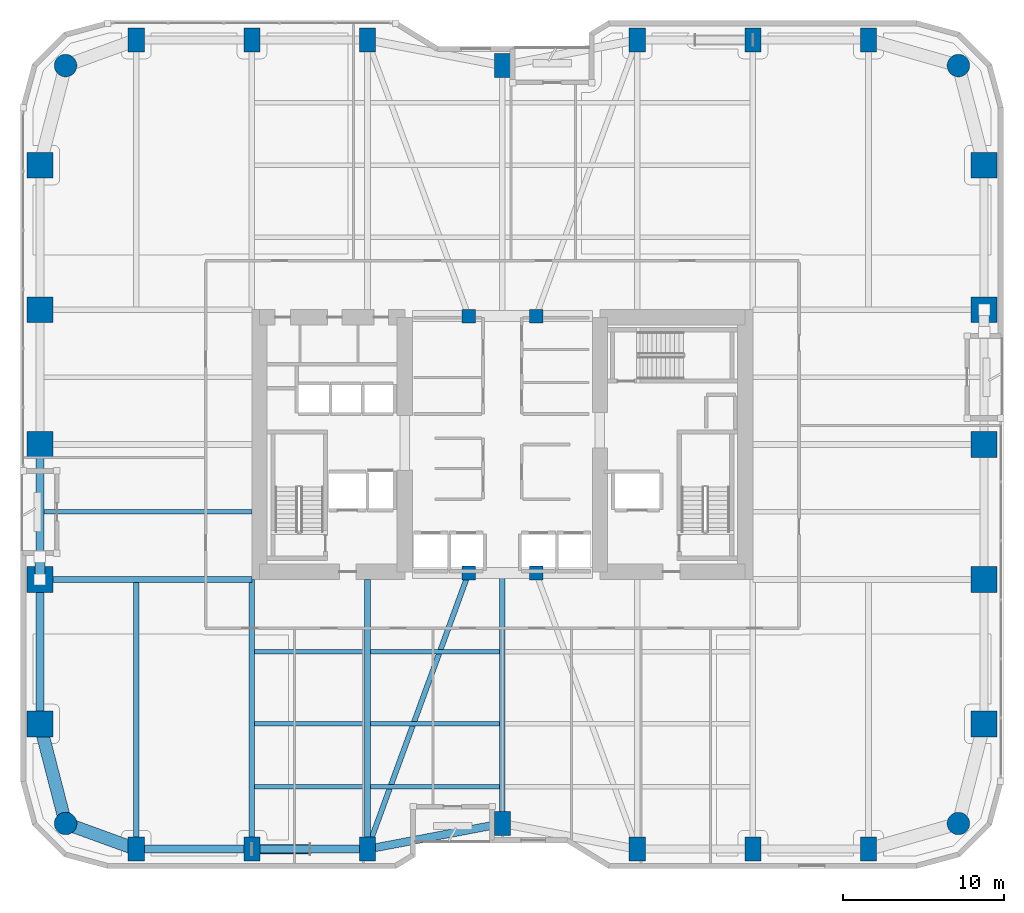
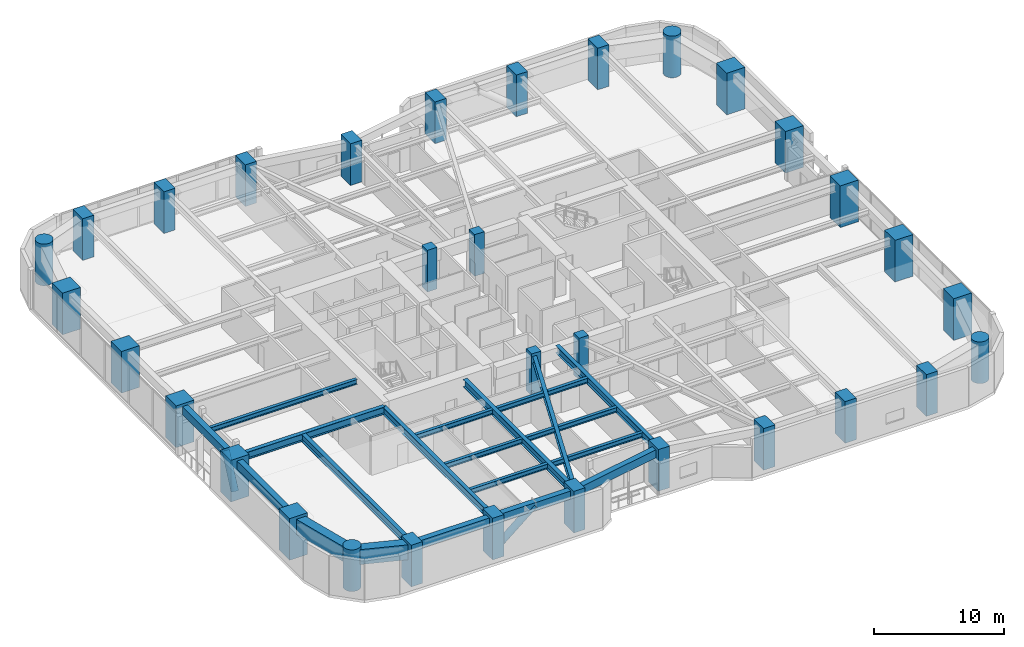
# One storey, part 1 of 28: 32 columns, 20 beams, 2 members.
"""IFC4 building model written with IfcOpenShell, lengths in metres."""

from ifc_helpers import new_model, si_unit, direction, frame, origin, origin_2d, place, context, subcontext, project, spatial, rectangle, circle, hollow_circle, i_section, extrude, material, material_profile, profile_set, type_object, element, save


model = new_model("IFC4")

# Units and contexts
model_context = context("Model", 3, precision=1e-05, world=origin(), true_north=direction((0.0, 1.0)))
body_context = subcontext(model_context, "Body", "Model", "MODEL_VIEW")
ifc_project = project(units=[si_unit("LENGTHUNIT", "METRE"), si_unit("AREAUNIT", "SQUARE_METRE"), si_unit("VOLUMEUNIT", "CUBIC_METRE"), si_unit("PLANEANGLEUNIT", "RADIAN"), si_unit("MASSUNIT", "GRAM", prefix="KILO")], contexts=[model_context])

# Site, building, storey
site_placement = place(None, origin())
site = spatial("IfcSite", under=ifc_project, at=site_placement, CompositionType="ELEMENT")
building_placement = place(site_placement, origin())
building = spatial("IfcBuilding", under=site, at=building_placement, Name="Kiyonajd Concourse Tower", CompositionType="ELEMENT")
storey_placement = place(building_placement, frame((0.0, 0.0, 64.5)))
storey = spatial("IfcBuildingStorey", under=building, at=storey_placement, Name="L17", CompositionType="ELEMENT", Elevation=64.5)

# Columns
ifc_material_1 = material(Name="Concrete C80/95", Category="concrete")
ifc_material_profile_1 = material_profile(ifc_material_1, rectangle(XDim=1.0, YDim=1.5, at=origin_2d()), Name="RC-1500x1000")
ifc_profile_set_1 = profile_set([ifc_material_profile_1], Name="Concrete C80/95")
column_type_1 = type_object("IfcColumnType", Name="CL-BLADE-1500", PredefinedType="COLUMN", material=ifc_profile_set_1)
for number, where, z_axis, x_axis, name in (
    (1, (25.199951171875, 10.800048828125, 0.0), (0.0, 0.0, 1.0), (1.0, 0.0, 0.0), "L17 Perimeter Bundled Tube Column"),
    (2, (25.199951171875, 61.199951171875, 0.0), (0.0, 0.0, 1.0), (1.0, 0.0, 0.0), "L17 Perimeter Bundled Tube Column"),
    (3, (32.39990234375, 10.800048828125, 0.0), (0.0, 0.0, 1.0), (1.0, 0.0, 0.0), "L17 Perimeter Bundled Tube Column"),
    (4, (32.39990234375, 61.199951171875, 0.0), (0.0, 0.0, 1.0), (1.0, 0.0, 0.0), "L17 Perimeter Bundled Tube Column"),
    (5, (39.60009765625, 10.800048828125, 0.0), (0.0, 0.0, 1.0), (1.0, 0.0, 0.0), "L17 Perimeter Bundled Tube Column"),
    (6, (39.60009765625, 61.199951171875, 0.0), (0.0, 0.0, 1.0), (1.0, 0.0, 0.0), "L17 Perimeter Bundled Tube Column"),
    (7, (48.0, 12.39990234375, 0.0), (0.0, 0.0, 1.0), (1.0, 0.0, 0.0), "L17 Perimeter Bundled Tube Column"),
    (8, (48.0, 59.60009765625, 0.0), (0.0, 0.0, 1.0), (1.0, 0.0, 0.0), "L17 Perimeter Bundled Tube Column"),
    (9, (56.39990234375, 10.800048828125, 0.0), (0.0, 0.0, 1.0), (1.0, 0.0, 0.0), "L17 Perimeter Bundled Tube Column"),
    (10, (56.39990234375, 61.199951171875, 0.0), (0.0, 0.0, 1.0), (1.0, 0.0, 0.0), "L17 Perimeter Bundled Tube Column"),
    (11, (63.60009765625, 10.800048828125, 0.0), (0.0, 0.0, 1.0), (1.0, 0.0, 0.0), "L17 Perimeter Bundled Tube Column"),
    (12, (63.60009765625, 61.199951171875, 0.0), (0.0, 0.0, 1.0), (1.0, 0.0, 0.0), "L17 Perimeter Bundled Tube Column"),
    (13, (70.800048828125, 10.800048828125, 0.0), (0.0, 0.0, 1.0), (1.0, 0.0, 0.0), "L17 Perimeter Bundled Tube Column"),
    (14, (70.800048828125, 61.199951171875, 0.0), (0.0, 0.0, 1.0), (1.0, 0.0, 0.0), "L17 Perimeter Bundled Tube Column"),
):
    element("IfcColumn", number, at=place(storey_placement, frame(where, z_axis=z_axis, x_axis=x_axis)), inside=storey, type_object=column_type_1, Name=name, PredefinedType="COLUMN", context=body_context, shape_type="SweptSolid", body=[
        extrude(rectangle(XDim=1.0, YDim=1.5, at=origin_2d()), origin(), (0.0, 0.0, 1.0), 3.89990234375),
    ])
ifc_material_profile_2 = material_profile(ifc_material_1, circle(Radius=0.699951171875, at=origin_2d()), Name="RCC-D1400")
ifc_profile_set_2 = profile_set([ifc_material_profile_2], Name="Concrete C80/95")
column_type_2 = type_object("IfcColumnType", Name="CL-RND-1400", PredefinedType="COLUMN", material=ifc_profile_set_2)
for number, where, z_axis, x_axis, name in (
    (15, (20.800048828125, 12.39990234375, 0.0), (0.0, 0.0, 1.0), (1.0, 0.0, 0.0), "L17 Bundled Tube Corner Column South West"),
    (16, (76.39990234375, 12.39990234375, 0.0), (0.0, 0.0, 1.0), (1.0, 0.0, 0.0), "L17 Bundled Tube Corner Column South East"),
    (17, (76.39990234375, 59.60009765625, 0.0), (0.0, 0.0, 1.0), (1.0, 0.0, 0.0), "L17 Bundled Tube Corner Column North East"),
    (18, (20.800048828125, 59.60009765625, 0.0), (0.0, 0.0, 1.0), (1.0, 0.0, 0.0), "L17 Bundled Tube Corner Column North West"),
):
    element("IfcColumn", number, at=place(storey_placement, frame(where, z_axis=z_axis, x_axis=x_axis)), inside=storey, type_object=column_type_2, Name=name, PredefinedType="COLUMN", context=body_context, shape_type="SweptSolid", body=[
        extrude(circle(Radius=0.699951171875, at=origin_2d()), origin(), (0.0, 0.0, 1.0), 3.89990234375),
    ])
ifc_material_profile_3 = material_profile(ifc_material_1, rectangle(XDim=1.60009765625, YDim=1.60009765625, at=origin_2d()), Name="RC-1600x1600")
ifc_profile_set_3 = profile_set([ifc_material_profile_3], Name="Concrete C80/95")
column_type_3 = type_object("IfcColumnType", Name="CL-TUBE-1600", PredefinedType="COLUMN", material=ifc_profile_set_3)
for number, where, z_axis, x_axis, name in (
    (19, (19.199951171875, 18.60009765625, 0.0), (0.0, 0.0, 1.0), (1.0, 0.0, 0.0), "L17 Perimeter Bundled Tube Column"),
    (20, (78.0, 18.60009765625, 0.0), (0.0, 0.0, 1.0), (1.0, 0.0, 0.0), "L17 Perimeter Bundled Tube Column"),
    (21, (19.199951171875, 27.60009765625, 0.0), (0.0, 0.0, 1.0), (1.0, 0.0, 0.0), "L17 Perimeter Bundled Tube Column"),
    (22, (78.0, 27.60009765625, 0.0), (0.0, 0.0, 1.0), (1.0, 0.0, 0.0), "L17 Perimeter Bundled Tube Column"),
    (23, (19.199951171875, 36.0, 0.0), (0.0, 0.0, 1.0), (1.0, 0.0, 0.0), "L17 Perimeter Bundled Tube Column"),
    (24, (78.0, 36.0, 0.0), (0.0, 0.0, 1.0), (1.0, 0.0, 0.0), "L17 Perimeter Bundled Tube Column"),
    (25, (19.199951171875, 44.39990234375, 0.0), (0.0, 0.0, 1.0), (1.0, 0.0, 0.0), "L17 Perimeter Bundled Tube Column"),
    (26, (78.0, 44.39990234375, 0.0), (0.0, 0.0, 1.0), (1.0, 0.0, 0.0), "L17 Perimeter Bundled Tube Column"),
    (27, (19.199951171875, 53.39990234375, 0.0), (0.0, 0.0, 1.0), (1.0, 0.0, 0.0), "L17 Perimeter Bundled Tube Column"),
    (28, (78.0, 53.39990234375, 0.0), (0.0, 0.0, 1.0), (1.0, 0.0, 0.0), "L17 Perimeter Bundled Tube Column"),
):
    element("IfcColumn", number, at=place(storey_placement, frame(where, z_axis=z_axis, x_axis=x_axis)), inside=storey, type_object=column_type_3, Name=name, PredefinedType="COLUMN", context=body_context, shape_type="SweptSolid", body=[
        extrude(rectangle(XDim=1.60009765625, YDim=1.60009765625, at=origin_2d()), origin(), (0.0, 0.0, 1.0), 3.89990234375),
    ])
ifc_material_2 = material(Name="Concrete C60/75", Category="concrete")
ifc_material_profile_4 = material_profile(ifc_material_2, rectangle(XDim=0.85009765625, YDim=0.85009765625, at=origin_2d()), Name="RC-850x850")
ifc_profile_set_4 = profile_set([ifc_material_profile_4], Name="Concrete C60/75")
column_type_4 = type_object("IfcColumnType", Name="CL-TUBE-850", PredefinedType="COLUMN", material=ifc_profile_set_4)
for number, where, z_axis, x_axis, name in (
    (29, (45.89990234375, 28.0, 0.0), (0.0, 0.0, 1.0), (1.0, 0.0, 0.0), "L17 Core Tie Column South West"),
    (30, (50.10009765625, 28.0, 0.0), (0.0, 0.0, 1.0), (1.0, 0.0, 0.0), "L17 Core Tie Column South East"),
    (31, (45.89990234375, 44.0, 0.0), (0.0, 0.0, 1.0), (1.0, 0.0, 0.0), "L17 Core Tie Column North West"),
    (32, (50.10009765625, 44.0, 0.0), (0.0, 0.0, 1.0), (1.0, 0.0, 0.0), "L17 Core Tie Column North East"),
):
    element("IfcColumn", number, at=place(storey_placement, frame(where, z_axis=z_axis, x_axis=x_axis)), inside=storey, type_object=column_type_4, Name=name, PredefinedType="COLUMN", context=body_context, shape_type="SweptSolid", body=[
        extrude(rectangle(XDim=0.85009765625, YDim=0.85009765625, at=origin_2d()), origin(), (0.0, 0.0, 1.0), 3.89990234375),
    ])

# Beams
ifc_material_3 = material(Name="Steel ASTM A992 Grade 50", Category="steel")
ifc_material_profile_5 = material_profile(ifc_material_3, i_section(OverallWidth=0.280029296875, OverallDepth=0.462890625, WebThickness=0.0107421875, FlangeThickness=0.017333984375, at=origin_2d()), Name="W460X113")
ifc_profile_set_5 = profile_set([ifc_material_profile_5], Name="Steel ASTM A992 Grade 50")
beam_type_1 = type_object("IfcBeamType", Name="BM-JST-460A", PredefinedType="JOIST", material=ifc_profile_set_5)
beam_1_placement = place(storey_placement, frame((32.577392578125, 14.699951171875, 3.408447265625), z_axis=(1.0, 0.0, 0.0), x_axis=(0.0, 1.0, 0.0)))
element("IfcBeam", 33, at=beam_1_placement, inside=storey, type_object=beam_type_1, Name="L17 Secondary Floor Joist", PredefinedType="JOIST", context=body_context, shape_type="SweptSolid", body=[
    extrude(i_section(OverallWidth=0.280029296875, OverallDepth=0.462890625, WebThickness=0.0107421875, FlangeThickness=0.017333984375, at=origin_2d()), origin(), (0.0, 0.0, 1.0), 6.84521484375),
])
beam_2_placement = place(storey_placement, frame((39.777587890625, 14.699951171875, 3.408447265625), z_axis=(1.0, 0.0, 0.0), x_axis=(0.0, 1.0, 0.0)))
element("IfcBeam", 34, at=beam_2_placement, inside=storey, type_object=beam_type_1, Name="L17 Secondary Floor Joist", PredefinedType="JOIST", context=body_context, shape_type="SweptSolid", body=[
    extrude(i_section(OverallWidth=0.280029296875, OverallDepth=0.462890625, WebThickness=0.0107421875, FlangeThickness=0.017333984375, at=origin_2d()), origin(), (0.0, 0.0, 1.0), 8.044921875),
])
beam_3_placement = place(storey_placement, frame((32.577392578125, 18.60009765625, 3.408447265625), z_axis=(1.0, 0.0, 0.0), x_axis=(0.0, 1.0, 0.0)))
element("IfcBeam", 35, at=beam_3_placement, inside=storey, type_object=beam_type_1, Name="L17 Secondary Floor Joist", PredefinedType="JOIST", context=body_context, shape_type="SweptSolid", body=[
    extrude(i_section(OverallWidth=0.280029296875, OverallDepth=0.462890625, WebThickness=0.0107421875, FlangeThickness=0.017333984375, at=origin_2d()), origin(), (0.0, 0.0, 1.0), 6.84521484375),
])
beam_4_placement = place(storey_placement, frame((39.777587890625, 18.60009765625, 3.408447265625), z_axis=(1.0, 0.0, 0.0), x_axis=(0.0, 1.0, 0.0)))
element("IfcBeam", 36, at=beam_4_placement, inside=storey, type_object=beam_type_1, Name="L17 Secondary Floor Joist", PredefinedType="JOIST", context=body_context, shape_type="SweptSolid", body=[
    extrude(i_section(OverallWidth=0.280029296875, OverallDepth=0.462890625, WebThickness=0.0107421875, FlangeThickness=0.017333984375, at=origin_2d()), origin(), (0.0, 0.0, 1.0), 8.044921875),
])
beam_5_placement = place(storey_placement, frame((32.577392578125, 23.10009765625, 3.408447265625), z_axis=(1.0, 0.0, 0.0), x_axis=(0.0, 1.0, 0.0)))
element("IfcBeam", 37, at=beam_5_placement, inside=storey, type_object=beam_type_1, Name="L17 Secondary Floor Joist", PredefinedType="JOIST", context=body_context, shape_type="SweptSolid", body=[
    extrude(i_section(OverallWidth=0.280029296875, OverallDepth=0.462890625, WebThickness=0.0107421875, FlangeThickness=0.017333984375, at=origin_2d()), origin(), (0.0, 0.0, 1.0), 6.84521484375),
])
beam_6_placement = place(storey_placement, frame((39.777587890625, 23.10009765625, 3.408447265625), z_axis=(1.0, 0.0, 0.0), x_axis=(0.0, 1.0, 0.0)))
element("IfcBeam", 38, at=beam_6_placement, inside=storey, type_object=beam_type_1, Name="L17 Secondary Floor Joist", PredefinedType="JOIST", context=body_context, shape_type="SweptSolid", body=[
    extrude(i_section(OverallWidth=0.280029296875, OverallDepth=0.462890625, WebThickness=0.0107421875, FlangeThickness=0.017333984375, at=origin_2d()), origin(), (0.0, 0.0, 1.0), 8.044921875),
])
beam_7_placement = place(storey_placement, frame((19.449951171875, 31.800048828125, 3.408447265625), z_axis=(1.0, 0.0, 0.0), x_axis=(0.0, 1.0, 0.0)))
element("IfcBeam", 39, at=beam_7_placement, inside=storey, type_object=beam_type_1, Name="L17 West Secondary Floor Joist", PredefinedType="JOIST", context=body_context, shape_type="SweptSolid", body=[
    extrude(i_section(OverallWidth=0.280029296875, OverallDepth=0.462890625, WebThickness=0.0107421875, FlangeThickness=0.017333984375, at=origin_2d()), origin(), (0.0, 0.0, 1.0), 12.949951171875),
])
ifc_material_4 = material(Name="Precast concrete C50/60", Category="concrete")
ifc_material_profile_6 = material_profile(ifc_material_4, rectangle(XDim=0.5, YDim=0.75, at=origin_2d()), Name="RCBM-500x750")
ifc_profile_set_6 = profile_set([ifc_material_profile_6], Name="Precast concrete C50/60")
beam_type_2 = type_object("IfcBeamType", Name="BM-SPAN-RC", PredefinedType="SPANDREL", material=ifc_profile_set_6)
beam_8_placement = place(storey_placement, frame((19.199951171875, 27.60009765625, 3.264892578125), z_axis=(0.0, -1.0, 0.0), x_axis=(1.0, 0.0, 0.0)))
element("IfcBeam", 40, at=beam_8_placement, inside=storey, type_object=beam_type_2, Name="L17 Perimeter Bundled Tube Spandrel", PredefinedType="SPANDREL", context=body_context, shape_type="SweptSolid", body=[
    extrude(rectangle(XDim=0.5, YDim=0.75, at=origin_2d()), origin(), (0.0, 0.0, 1.0), 9.0),
])
beam_9_placement = place(storey_placement, frame((25.199951171875, 10.800048828125, 3.264892578125), z_axis=(1.0, 0.0, 0.0), x_axis=(0.0, 1.0, 0.0)))
element("IfcBeam", 41, at=beam_9_placement, inside=storey, type_object=beam_type_2, Name="L17 Perimeter Bundled Tube Spandrel", PredefinedType="SPANDREL", context=body_context, shape_type="SweptSolid", body=[
    extrude(rectangle(XDim=0.5, YDim=0.75, at=origin_2d()), origin(), (0.0, 0.0, 1.0), 7.199951171875),
])
beam_10_placement = place(storey_placement, frame((32.39990234375, 10.800048828125, 3.264892578125), z_axis=(1.0, 0.0, 0.0), x_axis=(0.0, 1.0, 0.0)))
element("IfcBeam", 42, at=beam_10_placement, inside=storey, type_object=beam_type_2, Name="L17 Perimeter Bundled Tube Spandrel", PredefinedType="SPANDREL", context=body_context, shape_type="SweptSolid", body=[
    extrude(rectangle(XDim=0.5, YDim=0.75, at=origin_2d()), origin(), (0.0, 0.0, 1.0), 7.2001953125),
])
beam_11_placement = place(storey_placement, frame((39.60009765625, 10.800048828125, 3.264892578125), z_axis=(0.982341315253, 0.187097675953, 0.0), x_axis=(-0.187097675953, 0.982341315253, 0.0)))
element("IfcBeam", 43, at=beam_11_placement, inside=storey, type_object=beam_type_2, Name="L17 Perimeter Bundled Tube Spandrel", PredefinedType="SPANDREL", context=body_context, shape_type="SweptSolid", body=[
    extrude(rectangle(XDim=0.5, YDim=0.75, at=origin_2d()), origin(), (0.0, 0.0, 1.0), 8.55078125),
])
beam_12_placement = place(storey_placement, frame((19.199951171875, 36.0, 3.264892578125), z_axis=(0.0, -1.0, 0.0), x_axis=(1.0, 0.0, 0.0)))
element("IfcBeam", 44, at=beam_12_placement, inside=storey, type_object=beam_type_2, Name="L17 Perimeter Bundled Tube Spandrel", PredefinedType="SPANDREL", context=body_context, shape_type="SweptSolid", body=[
    extrude(rectangle(XDim=0.5, YDim=0.75, at=origin_2d()), origin(), (0.0, 0.0, 1.0), 8.39990234375),
])
ifc_material_profile_7 = material_profile(ifc_material_3, i_section(OverallWidth=0.326904296875, OverallDepth=0.6220703125, WebThickness=0.015380859375, FlangeThickness=0.0244140625, at=origin_2d()), Name="W610X195")
ifc_profile_set_7 = profile_set([ifc_material_profile_7], Name="Steel ASTM A992 Grade 50")
beam_type_3 = type_object("IfcBeamType", Name="BM-TWR-610A", PredefinedType="BEAM", material=ifc_profile_set_7)
beam_13_placement = place(storey_placement, frame((39.60009765625, 10.800048828125, 3.3291015625), z_axis=(0.343925269715, 0.938997022813, 0.0), x_axis=(-0.938997022813, 0.343925269715, 0.0)))
element("IfcBeam", 45, at=beam_13_placement, inside=storey, type_object=beam_type_3, Name="L17 Core Tie Girder", PredefinedType="BEAM", context=body_context, shape_type="SweptSolid", body=[
    extrude(i_section(OverallWidth=0.326904296875, OverallDepth=0.6220703125, WebThickness=0.015380859375, FlangeThickness=0.0244140625, at=origin_2d()), origin(), (0.0, 0.0, 1.0), 18.3173828125),
])
ifc_material_profile_8 = material_profile(ifc_material_3, i_section(OverallWidth=0.35498046875, OverallDepth=0.695068359375, WebThickness=0.015380859375, FlangeThickness=0.02490234375, at=origin_2d()), Name="W690X217")
ifc_profile_set_8 = profile_set([ifc_material_profile_8], Name="Steel ASTM A992 Grade 50")
beam_type_4 = type_object("IfcBeamType", Name="BM-TWR-690", PredefinedType="BEAM", material=ifc_profile_set_8)
for number, where, z_axis, x_axis, name in (
    (46, (25.199951171875, 10.800048828125, 3.29248046875), (0.0, 1.0, 0.0), (-1.0, 0.0, 0.0), "L17 South Lease Girder"),
    (47, (32.39990234375, 10.800048828125, 3.29248046875), (0.0, 1.0, 0.0), (-1.0, 0.0, 0.0), "L17 South Lease Girder"),
    (48, (39.60009765625, 10.800048828125, 3.29248046875), (0.0, 1.0, 0.0), (-1.0, 0.0, 0.0), "L17 South Lease Girder"),
):
    element("IfcBeam", number, at=place(storey_placement, frame(where, z_axis=z_axis, x_axis=x_axis)), inside=storey, type_object=beam_type_4, Name=name, PredefinedType="BEAM", context=body_context, shape_type="SweptSolid", body=[
        extrude(i_section(OverallWidth=0.35498046875, OverallDepth=0.695068359375, WebThickness=0.015380859375, FlangeThickness=0.02490234375, at=origin_2d()), origin(), (0.0, 0.0, 1.0), 16.800048828125),
    ])
beam_14_placement = place(storey_placement, frame((48.0, 12.39990234375, 3.29248046875), z_axis=(0.0, 1.0, 0.0), x_axis=(-1.0, 0.0, 0.0)))
element("IfcBeam", 49, at=beam_14_placement, inside=storey, type_object=beam_type_4, Name="L17 South Ribbon Girder", PredefinedType="BEAM", context=body_context, shape_type="SweptSolid", body=[
    extrude(i_section(OverallWidth=0.35498046875, OverallDepth=0.695068359375, WebThickness=0.015380859375, FlangeThickness=0.02490234375, at=origin_2d()), origin(), (0.0, 0.0, 1.0), 15.60009765625),
])
beam_15_placement = place(storey_placement, frame((19.199951171875, 27.60009765625, 3.29248046875), z_axis=(1.0, 0.0, 0.0), x_axis=(0.0, 1.0, 0.0)))
element("IfcBeam", 50, at=beam_15_placement, inside=storey, type_object=beam_type_4, Name="L17 West Lease Girder", PredefinedType="BEAM", context=body_context, shape_type="SweptSolid", body=[
    extrude(i_section(OverallWidth=0.35498046875, OverallDepth=0.695068359375, WebThickness=0.015380859375, FlangeThickness=0.02490234375, at=origin_2d()), origin(), (0.0, 0.0, 1.0), 13.199951171875),
])
ifc_material_profile_9 = material_profile(ifc_material_2, rectangle(XDim=0.800048828125, YDim=1.39990234375, at=origin_2d()), Name="RCBM-800x1400")
ifc_profile_set_9 = profile_set([ifc_material_profile_9], Name="Concrete C60/75")
beam_type_5 = type_object("IfcBeamType", Name="BM-XFER-RC", PredefinedType="BEAM", material=ifc_profile_set_9)
beam_16_placement = place(storey_placement, frame((19.199951171875, 18.60009765625, 2.93994140625), z_axis=(0.249884937687, -0.968275538221, 0.0), x_axis=(0.968275538221, 0.249884937687, 0.0)))
element("IfcBeam", 51, at=beam_16_placement, inside=storey, type_object=beam_type_5, Name="L17 Perimeter Bundled Tube Spandrel", PredefinedType="BEAM", context=body_context, shape_type="SweptSolid", body=[
    extrude(rectangle(XDim=0.800048828125, YDim=1.39990234375, at=origin_2d()), origin(), (0.0, 0.0, 1.0), 6.4033203125),
])
beam_17_placement = place(storey_placement, frame((20.800048828125, 12.39990234375, 2.93994140625), z_axis=(0.939801036019, -0.341722127901, 0.0), x_axis=(0.341722127901, 0.939801036019, 0.0)))
element("IfcBeam", 52, at=beam_17_placement, inside=storey, type_object=beam_type_5, Name="L17 Perimeter Bundled Tube Spandrel", PredefinedType="BEAM", context=body_context, shape_type="SweptSolid", body=[
    extrude(rectangle(XDim=0.800048828125, YDim=1.39990234375, at=origin_2d()), origin(), (0.0, 0.0, 1.0), 4.681640625),
])

# Members
ifc_material_5 = material(Name="Steel ASTM A572 Grade 50", Category="steel")
ifc_material_profile_10 = material_profile(ifc_material_5, hollow_circle(Radius=0.304931640625, WallThickness=0.02490234375, at=origin_2d()), Name="CHS-610x25")
ifc_profile_set_10 = profile_set([ifc_material_profile_10], Name="Steel ASTM A572 Grade 50")
member_type = type_object("IfcMemberType", Name="MB-PB-LOW", PredefinedType="BRACE", material=ifc_profile_set_10)
member_1_placement = place(storey_placement, frame((32.39990234375, 10.800048828125, 0.300048828125), z_axis=(0.769280705518, 0.0, 0.638910945373), x_axis=(0.0, 1.0, 0.0)))
element("IfcMember", 53, at=member_1_placement, inside=storey, type_object=member_type, Name="L17 Lower Zone Welded Tube Brace PBS", PredefinedType="BRACE", context=body_context, shape_type="SweptSolid", body=[
    extrude(hollow_circle(Radius=0.304931640625, WallThickness=0.02490234375, at=origin_2d()), origin(), (0.0, 0.0, 1.0), 4.679931640625),
])
member_2_placement = place(storey_placement, frame((19.199951171875, 27.60009765625, 0.300048828125), z_axis=(0.0, 0.424022702926, 0.905651559598), x_axis=(-1.0, 0.0, 0.0)))
element("IfcMember", 54, at=member_2_placement, inside=storey, type_object=member_type, Name="L17 Lower Zone Welded Tube Brace PBW", PredefinedType="BRACE", context=body_context, shape_type="SweptSolid", body=[
    extrude(hollow_circle(Radius=0.304931640625, WallThickness=0.02490234375, at=origin_2d()), origin(), (0.0, 0.0, 1.0), 3.301513671875),
])

save(model, "model.ifc")
